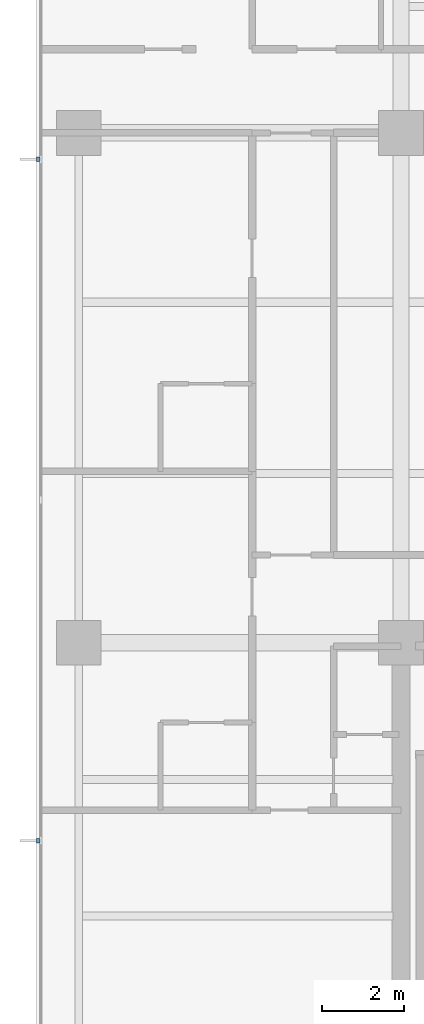
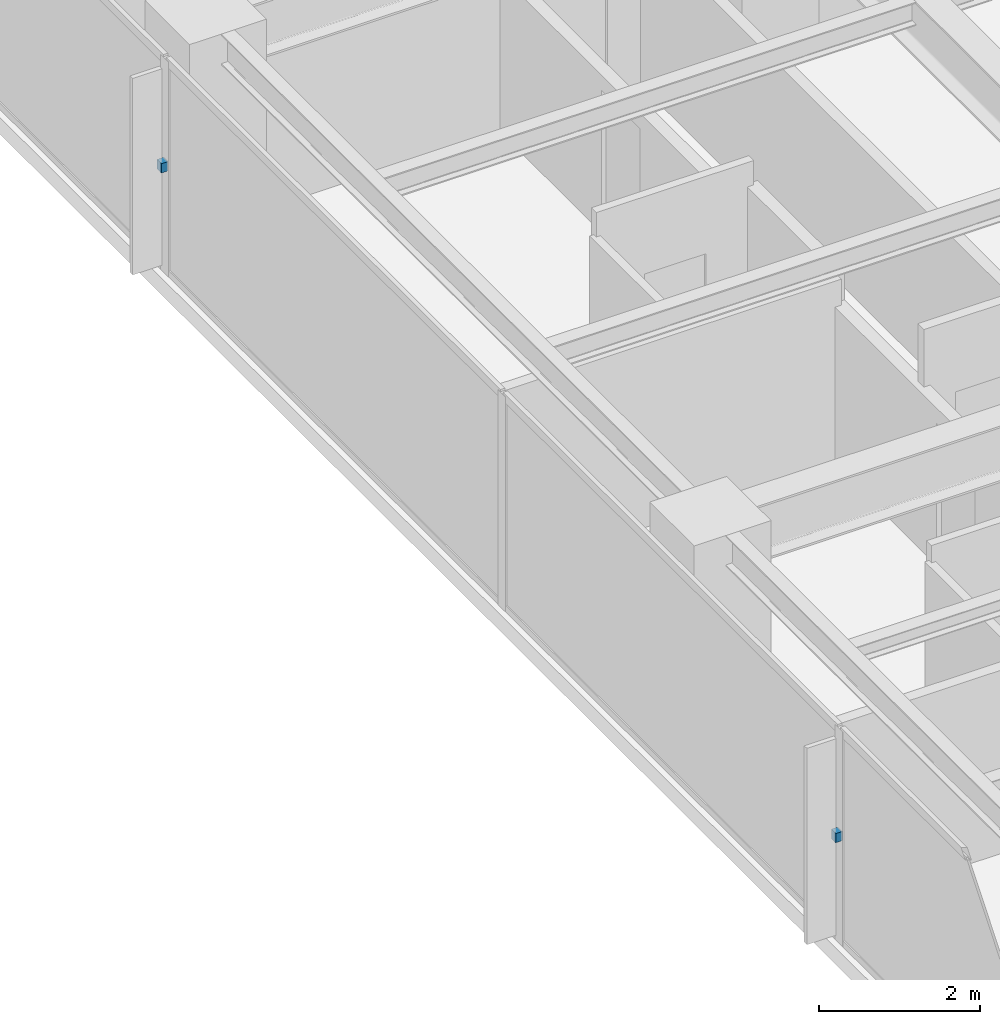
# One storey, part 11 of 15: 2 discrete accessories.
"""IFC4 building model written with IfcOpenShell, lengths in metres."""

from ifc_helpers import new_model, si_unit, direction, frame, origin, place, context, subcontext, project, spatial, polyline, outline, extrude, material, type_object, element, save


model = new_model("IFC4")

# Units and contexts
model_context = context("Model", 3, precision=1e-05, world=origin(), true_north=direction((0.0, 1.0)))
body_context = subcontext(model_context, "Body", "Model", "MODEL_VIEW")
ifc_project = project(units=[si_unit("LENGTHUNIT", "METRE"), si_unit("AREAUNIT", "SQUARE_METRE"), si_unit("VOLUMEUNIT", "CUBIC_METRE"), si_unit("PLANEANGLEUNIT", "RADIAN"), si_unit("MASSUNIT", "GRAM", prefix="KILO")], contexts=[model_context])

# Site, building, storey
site_placement = place(None, origin())
site = spatial("IfcSite", under=ifc_project, at=site_placement, CompositionType="ELEMENT")
building_placement = place(site_placement, origin())
building = spatial("IfcBuilding", under=site, at=building_placement, Name="Qalmaran Belvedere Hotel", CompositionType="ELEMENT")
storey_placement = place(building_placement, frame((0.0, 0.0, 173.60009765625)))
storey = spatial("IfcBuildingStorey", under=building, at=storey_placement, Name="L44", CompositionType="ELEMENT", Elevation=173.60009765625)

# Discrete accessories
ifc_material = material(Name="Stainless Steel 1.4401", Category="steel")
discrete_accessory_type = type_object("IfcDiscreteAccessoryType", Name="BRK-FIN-SS316", PredefinedType="BRACKET", material=ifc_material)
discrete_accessory_1_placement = place(storey_placement, frame((0.0, 0.0, 1.574951171875)))
element("IfcDiscreteAccessory", 1, at=discrete_accessory_1_placement, inside=storey, type_object=discrete_accessory_type, Name="L44 Fin Bracket 1", PredefinedType="BRACKET", context=body_context, shape_type="SweptSolid", body=[
    extrude(outline(polyline([(11.455078125, 32.405029296875), (11.360107421875, 32.405029296875), (11.360107421875, 32.294921875), (11.455078125, 32.294921875), (11.455078125, 32.405029296875)])), origin(), (0.0, 0.0, 1.0), 0.139892578125),
])
discrete_accessory_2_placement = place(storey_placement, frame((0.0, 0.0, 1.574951171875)))
element("IfcDiscreteAccessory", 2, at=discrete_accessory_2_placement, inside=storey, type_object=discrete_accessory_type, Name="L44 Fin Bracket 3", PredefinedType="BRACKET", context=body_context, shape_type="SweptSolid", body=[
    extrude(outline(polyline([(11.455078125, 15.705078125), (11.360107421875, 15.705078125), (11.360107421875, 15.594970703125), (11.455078125, 15.594970703125), (11.455078125, 15.705078125)])), origin(), (0.0, 0.0, 1.0), 0.139892578125),
])

save(model, "model.ifc")
